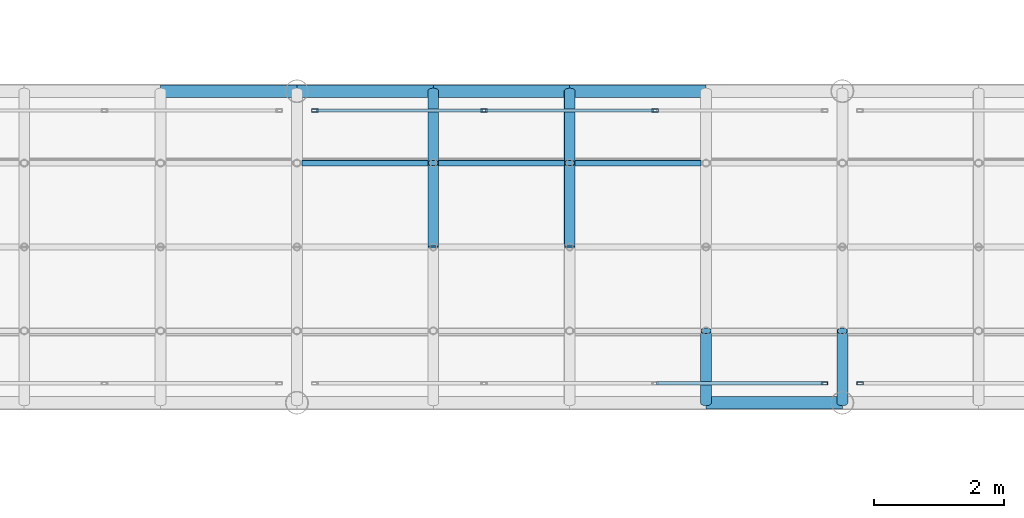
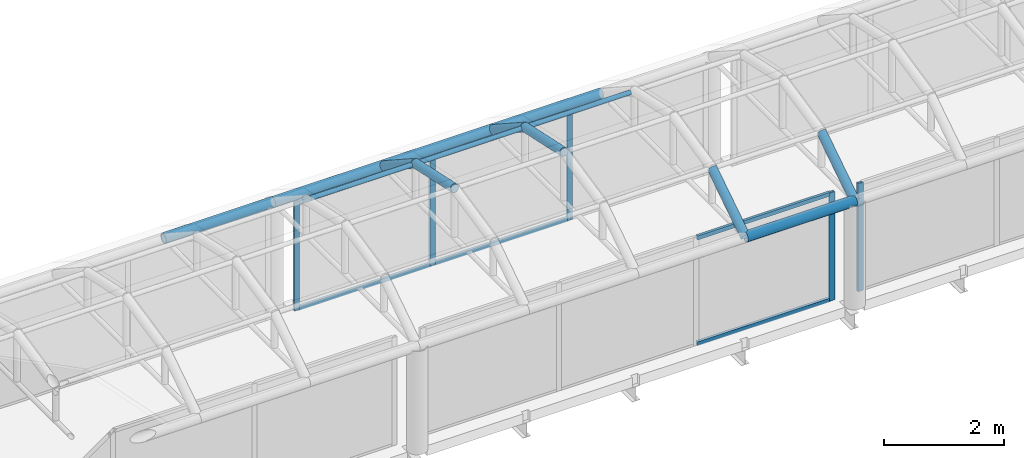
# One storey, part 38 of 167: 25 members, 3 elements without a shape of their own.
"""IFC4 building model written with IfcOpenShell, lengths in metres."""

from ifc_helpers import new_model, si_unit, direction, frame, origin, origin_2d, place, context, subcontext, project, spatial, hollow_rectangle, hollow_circle, extrude, material, material_profile, profile_set, type_object, element, aggregate, save


model = new_model("IFC4")

# Units and contexts
model_context = context("Model", 3, precision=1e-05, world=origin(), true_north=direction((0.0, 1.0)))
body_context = subcontext(model_context, "Body", "Model", "MODEL_VIEW")
ifc_project = project(units=[si_unit("LENGTHUNIT", "METRE"), si_unit("AREAUNIT", "SQUARE_METRE"), si_unit("VOLUMEUNIT", "CUBIC_METRE"), si_unit("PLANEANGLEUNIT", "RADIAN"), si_unit("MASSUNIT", "GRAM", prefix="KILO")], contexts=[model_context])

# Site, building, storey
site_placement = place(None, origin())
site = spatial("IfcSite", under=ifc_project, at=site_placement, CompositionType="ELEMENT")
building_placement = place(site_placement, origin())
building = spatial("IfcBuilding", under=site, at=building_placement, Name="Catenary Quay Ferry Terminal", CompositionType="ELEMENT")
storey_placement = place(building_placement, frame((0.0, 0.0, 6.0)))
storey = spatial("IfcBuildingStorey", under=building, at=storey_placement, Name="L01", CompositionType="ELEMENT", Elevation=6.0)

# Curtain wall, member
ifc_material_1 = material(Name="Aluminium and glass", Category="aluminium")
curtain_wall_type = type_object("IfcCurtainWallType", Name="CWB", PredefinedType="NOTDEFINED", material=ifc_material_1)
curtain_wall_1_placement = place(storey_placement, origin())
curtain_wall_1 = element("IfcCurtainWall", 1, at=curtain_wall_1_placement, inside=storey, type_object=curtain_wall_type, Name="BB1 curtain wall CW57", PredefinedType="NOTDEFINED")
ifc_material_2 = material(Name="Aluminium", Category="aluminium")
ifc_material_profile_1 = material_profile(ifc_material_2, hollow_rectangle(XDim=0.050048828125, YDim=0.10009765625, WallThickness=0.0048828125, at=origin_2d()), Name="MU1")
ifc_profile_set_1 = profile_set([ifc_material_profile_1], Name="Aluminium")
member_type_1 = type_object("IfcMemberType", Name="MU1", PredefinedType="MULLION", material=ifc_profile_set_1)
member_1_placement = place(storey_placement, frame((108.925048828125, 73.5, 0.0), z_axis=(0.0, 0.0, 1.0), x_axis=(0.0, 1.0, 0.0)))
member_1 = element("IfcMember", 2, at=member_1_placement, type_object=member_type_1, Name="CW57 mullion 4", PredefinedType="MULLION", context=body_context, shape_type="SweptSolid", body=[
    extrude(hollow_rectangle(XDim=0.050048828125, YDim=0.10009765625, WallThickness=0.0048828125, at=origin_2d()), origin(), (0.0, 0.0, 1.0), 2.195068359375),
])

curtain_wall_2_placement = place(storey_placement, origin())
curtain_wall_2 = element("IfcCurtainWall", 3, at=curtain_wall_2_placement, inside=storey, type_object=curtain_wall_type, Name="BB1 curtain wall CW58", PredefinedType="NOTDEFINED")
member_2_placement = place(storey_placement, frame((109.47509765625, 73.5, 0.0), z_axis=(0.0, 0.0, 1.0), x_axis=(0.0, 1.0, 0.0)))
member_2 = element("IfcMember", 4, at=member_2_placement, type_object=member_type_1, Name="CW58 mullion 1", PredefinedType="MULLION", context=body_context, shape_type="SweptSolid", body=[
    extrude(hollow_rectangle(XDim=0.050048828125, YDim=0.10009765625, WallThickness=0.0048828125, at=origin_2d()), origin(), (0.0, 0.0, 1.0), 2.195068359375),
])
aggregate(curtain_wall_2, [member_2])

# Curtain wall, members
curtain_wall_3_placement = place(storey_placement, origin())
curtain_wall_3 = element("IfcCurtainWall", 5, at=curtain_wall_3_placement, inside=storey, type_object=curtain_wall_type, Name="BB1 curtain wall CW61", PredefinedType="NOTDEFINED")
member_3_placement = place(storey_placement, frame((101.074951171875, 77.699951171875, 0.0), z_axis=(0.0, 0.0, 1.0), x_axis=(0.0, 1.0, 0.0)))
member_3 = element("IfcMember", 6, at=member_3_placement, type_object=member_type_1, Name="CW61 mullion 1", PredefinedType="MULLION", context=body_context, shape_type="SweptSolid", body=[
    extrude(hollow_rectangle(XDim=0.050048828125, YDim=0.10009765625, WallThickness=0.0048828125, at=origin_2d()), origin(), (0.0, 0.0, 1.0), 2.195068359375),
])
member_4_placement = place(storey_placement, frame((103.683349609375, 77.699951171875, 0.0), z_axis=(0.0, 0.0, 1.0), x_axis=(0.0, 1.0, 0.0)))
member_4 = element("IfcMember", 7, at=member_4_placement, type_object=member_type_1, Name="CW61 mullion 2", PredefinedType="MULLION", context=body_context, shape_type="SweptSolid", body=[
    extrude(hollow_rectangle(XDim=0.050048828125, YDim=0.10009765625, WallThickness=0.0048828125, at=origin_2d()), origin(), (0.0, 0.0, 1.0), 2.195068359375),
])
member_5_placement = place(storey_placement, frame((106.316650390625, 77.699951171875, 0.0), z_axis=(0.0, 0.0, 1.0), x_axis=(0.0, 1.0, 0.0)))
member_5 = element("IfcMember", 8, at=member_5_placement, type_object=member_type_1, Name="CW61 mullion 3", PredefinedType="MULLION", context=body_context, shape_type="SweptSolid", body=[
    extrude(hollow_rectangle(XDim=0.050048828125, YDim=0.10009765625, WallThickness=0.0048828125, at=origin_2d()), origin(), (0.0, 0.0, 1.0), 2.195068359375),
])

# Members
ifc_material_3 = material(Name="Steel S355", Category="steel")
ifc_material_profile_2 = material_profile(ifc_material_3, hollow_circle(Radius=0.04443359375, WallThickness=0.0048828125, at=origin_2d()), Name="CHS 88.9x5")
ifc_profile_set_2 = profile_set([ifc_material_profile_2], Name="Steel S355")
member_type_2 = type_object("IfcMemberType", Name="PU3 CHS 88.9x5", PredefinedType="PURLIN", material=ifc_profile_set_2)
member_6_placement = place(storey_placement, frame((100.8798828125, 76.89208984375, 2.821044921875), z_axis=(1.0, 0.0, 0.0), x_axis=(0.0, 1.0, 0.0)))
element("IfcMember", 9, at=member_6_placement, inside=storey, type_object=member_type_2, Name="Purlin PU-RB1-05-03", PredefinedType="PURLIN", context=body_context, shape_type="SweptSolid", body=[
    extrude(hollow_circle(Radius=0.04443359375, WallThickness=0.0048828125, at=origin_2d()), origin(), (0.0, 0.0, 1.0), 1.940185546875),
])
for number, where, z_axis, x_axis, name in (
    (10, (102.97998046875, 76.89208984375, 2.821044921875), (1.0, 0.0, 0.0), (0.0, 1.0, 0.0), "Purlin PU-RB1-06-03"),
    (11, (105.080078125, 76.89208984375, 2.821044921875), (1.0, 0.0, 0.0), (0.0, 1.0, 0.0), "Purlin PU-RB1-07-03"),
):
    element("IfcMember", number, at=place(storey_placement, frame(where, z_axis=z_axis, x_axis=x_axis)), inside=storey, type_object=member_type_2, Name=name, PredefinedType="PURLIN", context=body_context, shape_type="SweptSolid", body=[
        extrude(hollow_circle(Radius=0.04443359375, WallThickness=0.0048828125, at=origin_2d()), origin(), (0.0, 0.0, 1.0), 1.93994140625),
    ])
ifc_material_4 = material(Name="Steel S355", Category="steel")
ifc_material_profile_3 = material_profile(ifc_material_4, hollow_circle(Radius=0.096923828125, WallThickness=0.010009765625, at=origin_2d()), Name="CHS 193.7x10")
ifc_profile_set_3 = profile_set([ifc_material_profile_3], Name="Steel S355")
member_type_3 = type_object("IfcMemberType", Name="TC2 CHS 193.7x10", PredefinedType="CHORD", material=ifc_profile_set_3)
member_7_placement = place(storey_placement, frame((107.10009765625, 73.199951171875, 2.10009765625), z_axis=(1.0, 0.0, 0.0), x_axis=(0.0, 1.0, 0.0)))
element("IfcMember", 12, at=member_7_placement, inside=storey, type_object=member_type_3, Name="Bridge top chord BB1S-TC08", PredefinedType="CHORD", context=body_context, shape_type="SweptSolid", body=[
    extrude(hollow_circle(Radius=0.096923828125, WallThickness=0.010009765625, at=origin_2d()), origin(), (0.0, 0.0, 1.0), 2.099853515625),
])
member_8_placement = place(storey_placement, frame((98.699951171875, 78.0, 2.10009765625), z_axis=(1.0, 0.0, 0.0), x_axis=(0.0, 1.0, 0.0)))
element("IfcMember", 13, at=member_8_placement, inside=storey, type_object=member_type_3, Name="Bridge top chord BB1N-TC04", PredefinedType="CHORD", context=body_context, shape_type="SweptSolid", body=[
    extrude(hollow_circle(Radius=0.096923828125, WallThickness=0.010009765625, at=origin_2d()), origin(), (0.0, 0.0, 1.0), 2.10009765625),
])
member_9_placement = place(storey_placement, frame((100.800048828125, 78.0, 2.10009765625), z_axis=(1.0, 0.0, 0.0), x_axis=(0.0, 1.0, 0.0)))
element("IfcMember", 14, at=member_9_placement, inside=storey, type_object=member_type_3, Name="Bridge top chord BB1N-TC05", PredefinedType="CHORD", context=body_context, shape_type="SweptSolid", body=[
    extrude(hollow_circle(Radius=0.096923828125, WallThickness=0.010009765625, at=origin_2d()), origin(), (0.0, 0.0, 1.0), 2.099853515625),
])
for number, where, z_axis, x_axis, name in (
    (15, (102.89990234375, 78.0, 2.10009765625), (1.0, 0.0, 0.0), (0.0, 1.0, 0.0), "Bridge top chord BB1N-TC06"),
    (16, (105.0, 78.0, 2.10009765625), (1.0, 0.0, 0.0), (0.0, 1.0, 0.0), "Bridge top chord BB1N-TC07"),
):
    element("IfcMember", number, at=place(storey_placement, frame(where, z_axis=z_axis, x_axis=x_axis)), inside=storey, type_object=member_type_3, Name=name, PredefinedType="CHORD", context=body_context, shape_type="SweptSolid", body=[
        extrude(hollow_circle(Radius=0.096923828125, WallThickness=0.010009765625, at=origin_2d()), origin(), (0.0, 0.0, 1.0), 2.10009765625),
    ])

# Member
ifc_material_5 = material(Name="Aluminium", Category="aluminium")
ifc_material_profile_4 = material_profile(ifc_material_5, hollow_rectangle(XDim=0.050048828125, YDim=0.080078125, WallThickness=0.00390625, at=origin_2d()), Name="TR1")
ifc_profile_set_4 = profile_set([ifc_material_profile_4], Name="Aluminium")
member_type_4 = type_object("IfcMemberType", Name="TR1", PredefinedType="USERDEFINED", material=ifc_profile_set_4)
member_10_placement = place(storey_placement, frame((106.341552734375, 73.5, 0.02490234375), z_axis=(1.0, 0.0, 0.0), x_axis=(0.0, 1.0, 0.0)))
member_10 = element("IfcMember", 17, at=member_10_placement, type_object=member_type_4, Name="CW57 transom 3.1", ObjectType="TRANSOM", PredefinedType="USERDEFINED", context=body_context, shape_type="SweptSolid", body=[
    extrude(hollow_rectangle(XDim=0.050048828125, YDim=0.080078125, WallThickness=0.00390625, at=origin_2d()), origin(), (0.0, 0.0, 1.0), 2.558349609375),
])

member_11_placement = place(storey_placement, frame((106.341552734375, 73.5, 2.169921875), z_axis=(1.0, 0.0, 0.0), x_axis=(0.0, 1.0, 0.0)))
member_11 = element("IfcMember", 18, at=member_11_placement, type_object=member_type_4, Name="CW57 transom 3.2", ObjectType="TRANSOM", PredefinedType="USERDEFINED", context=body_context, shape_type="SweptSolid", body=[
    extrude(hollow_rectangle(XDim=0.050048828125, YDim=0.080078125, WallThickness=0.00390625, at=origin_2d()), origin(), (0.0, 0.0, 1.0), 2.558349609375),
])

aggregate(curtain_wall_1, [member_1, member_10, member_11])

member_12_placement = place(storey_placement, frame((101.10009765625, 77.699951171875, 0.02490234375), z_axis=(1.0, 0.0, 0.0), x_axis=(0.0, 1.0, 0.0)))
member_12 = element("IfcMember", 19, at=member_12_placement, type_object=member_type_4, Name="CW61 transom 1.1", ObjectType="TRANSOM", PredefinedType="USERDEFINED", context=body_context, shape_type="SweptSolid", body=[
    extrude(hollow_rectangle(XDim=0.050048828125, YDim=0.080078125, WallThickness=0.00390625, at=origin_2d()), origin(), (0.0, 0.0, 1.0), 2.558349609375),
])

member_13_placement = place(storey_placement, frame((101.10009765625, 77.699951171875, 2.169921875), z_axis=(1.0, 0.0, 0.0), x_axis=(0.0, 1.0, 0.0)))
member_13 = element("IfcMember", 20, at=member_13_placement, type_object=member_type_4, Name="CW61 transom 1.2", ObjectType="TRANSOM", PredefinedType="USERDEFINED", context=body_context, shape_type="SweptSolid", body=[
    extrude(hollow_rectangle(XDim=0.050048828125, YDim=0.080078125, WallThickness=0.00390625, at=origin_2d()), origin(), (0.0, 0.0, 1.0), 2.558349609375),
])

member_14_placement = place(storey_placement, frame((103.708251953125, 77.699951171875, 0.02490234375), z_axis=(1.0, 0.0, 0.0), x_axis=(0.0, 1.0, 0.0)))
member_14 = element("IfcMember", 21, at=member_14_placement, type_object=member_type_4, Name="CW61 transom 2.1", ObjectType="TRANSOM", PredefinedType="USERDEFINED", context=body_context, shape_type="SweptSolid", body=[
    extrude(hollow_rectangle(XDim=0.050048828125, YDim=0.080078125, WallThickness=0.00390625, at=origin_2d()), origin(), (0.0, 0.0, 1.0), 2.58349609375),
])

member_15_placement = place(storey_placement, frame((103.708251953125, 77.699951171875, 2.169921875), z_axis=(1.0, 0.0, 0.0), x_axis=(0.0, 1.0, 0.0)))
member_15 = element("IfcMember", 22, at=member_15_placement, type_object=member_type_4, Name="CW61 transom 2.2", ObjectType="TRANSOM", PredefinedType="USERDEFINED", context=body_context, shape_type="SweptSolid", body=[
    extrude(hollow_rectangle(XDim=0.050048828125, YDim=0.080078125, WallThickness=0.00390625, at=origin_2d()), origin(), (0.0, 0.0, 1.0), 2.58349609375),
])

aggregate(curtain_wall_3, [member_3, member_4, member_5, member_12, member_13, member_14, member_15])

# Members
ifc_material_6 = material(Name="Steel S355", Category="steel")
ifc_material_profile_5 = material_profile(ifc_material_6, hollow_circle(Radius=0.084228515625, WallThickness=0.008056640625, at=origin_2d()), Name="CHS 168.3x8")
ifc_profile_set_5 = profile_set([ifc_material_profile_5], Name="Steel S355")
member_type_5 = type_object("IfcMemberType", Name="VR4 CHS 168.3x8", PredefinedType="RAFTER", material=ifc_profile_set_5)
for number, where, z_axis, x_axis, name in (
    (23, (102.89990234375, 75.60009765625, 3.10009765625), (0.0, 0.977460543774, -0.211118178672), (-1.0, 0.0, 0.0), "rib RB1-06-03"),
    (24, (102.89990234375, 76.89208984375, 2.821044921875), (0.0, 0.838164997293, -0.545416755621), (-1.0, 0.0, 0.0), "rib RB1-06-04"),
    (25, (105.0, 75.60009765625, 3.10009765625), (0.0, 0.977460543774, -0.211118178672), (-1.0, 0.0, 0.0), "rib RB1-07-03"),
    (26, (105.0, 76.89208984375, 2.821044921875), (0.0, 0.838164997293, -0.545416755621), (-1.0, 0.0, 0.0), "rib RB1-07-04"),
):
    element("IfcMember", number, at=place(storey_placement, frame(where, z_axis=z_axis, x_axis=x_axis)), inside=storey, type_object=member_type_5, Name=name, PredefinedType="RAFTER", context=body_context, shape_type="SweptSolid", body=[
        extrude(hollow_circle(Radius=0.084228515625, WallThickness=0.008056640625, at=origin_2d()), origin(), (0.0, 0.0, 1.0), 1.32177734375),
    ])
for number, where, z_axis, x_axis, name in (
    (27, (107.10009765625, 73.199951171875, 2.10009765625), (0.0, 0.838219928753, 0.545332330823), (-1.0, 0.0, 0.0), "rib RB1-08-01"),
    (28, (109.199951171875, 73.199951171875, 2.10009765625), (0.0, 0.838219928753, 0.545332330823), (-1.0, 0.0, 0.0), "rib RB1-09-01"),
):
    element("IfcMember", number, at=place(storey_placement, frame(where, z_axis=z_axis, x_axis=x_axis)), inside=storey, type_object=member_type_5, Name=name, PredefinedType="RAFTER", context=body_context, shape_type="SweptSolid", body=[
        extrude(hollow_circle(Radius=0.084228515625, WallThickness=0.008056640625, at=origin_2d()), origin(), (0.0, 0.0, 1.0), 1.322021484375),
    ])

save(model, "model.ifc")
